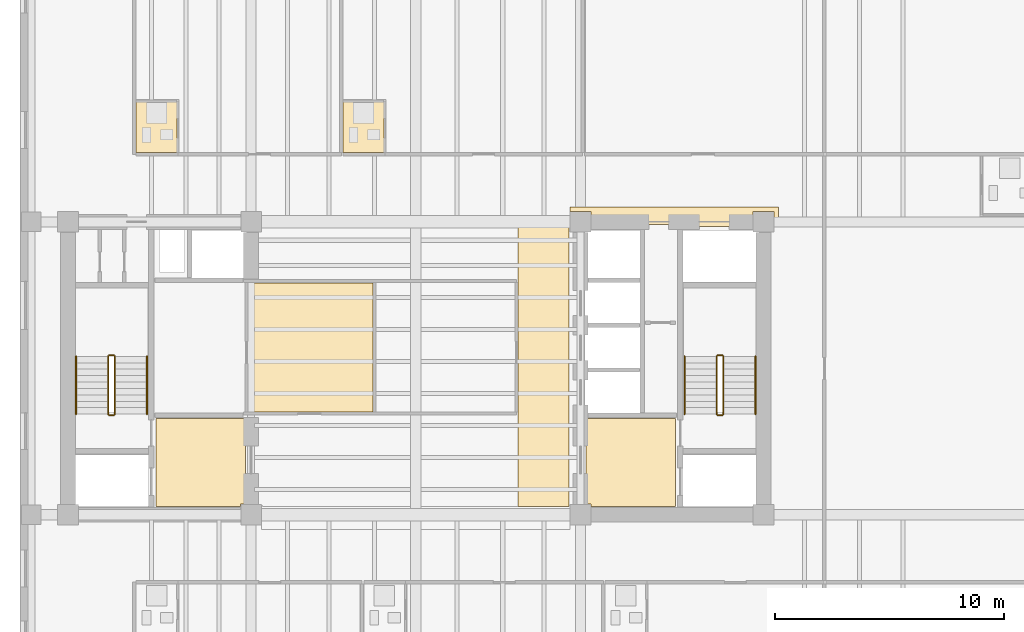
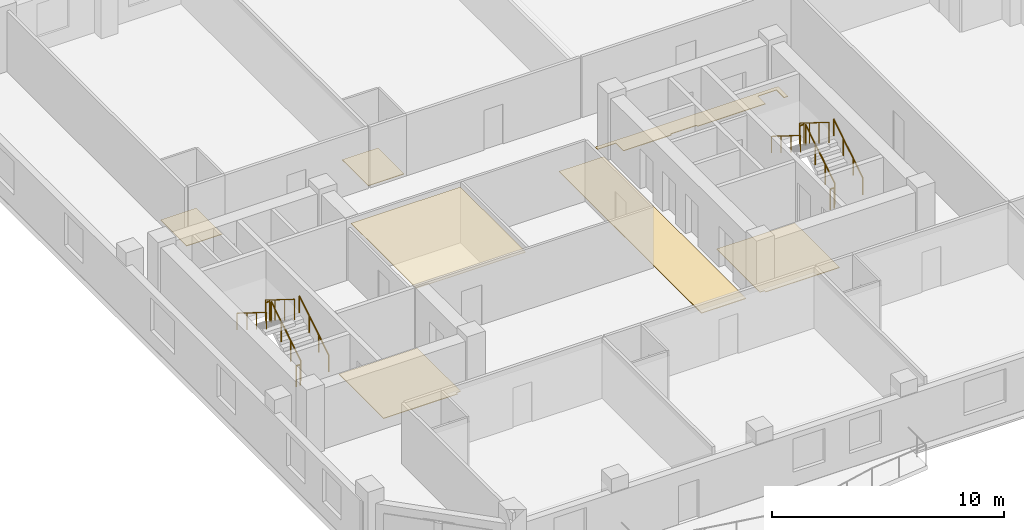
# One storey, part 7 of 9: 12 railings, 7 coverings.
"""IFC4 building model written with IfcOpenShell, lengths in metres."""

from ifc_helpers import new_model, si_unit, direction, frame, origin, origin_2d, place, context, subcontext, project, spatial, polyline, circle, outline, extrude, material, layer, layer_set, type_object, element, save


model = new_model("IFC4")

# Units and contexts
model_context = context("Model", 3, precision=1e-05, world=origin(), true_north=direction((0.0, 1.0)))
body_context = subcontext(model_context, "Body", "Model", "MODEL_VIEW")
ifc_project = project(units=[si_unit("LENGTHUNIT", "METRE"), si_unit("AREAUNIT", "SQUARE_METRE"), si_unit("VOLUMEUNIT", "CUBIC_METRE"), si_unit("PLANEANGLEUNIT", "RADIAN"), si_unit("MASSUNIT", "GRAM", prefix="KILO")], contexts=[model_context])

# Site, building, storey
site_placement = place(None, origin())
site = spatial("IfcSite", under=ifc_project, at=site_placement, CompositionType="ELEMENT")
building_placement = place(site_placement, origin())
building = spatial("IfcBuilding", under=site, at=building_placement, Name="Kranthara Brick Stack", CompositionType="ELEMENT")
storey_placement = place(building_placement, frame((0.0, 0.0, 169.300048828125)))
storey = spatial("IfcBuildingStorey", under=building, at=storey_placement, Name="L43", CompositionType="ELEMENT", Elevation=169.300048828125)

# Coverings
ifc_material_1 = material(Name="Perforated mineral-fibre acoustic ceiling tile", Category="other")
ifc_layer_1 = layer(ifc_material_1, 0.02490234375)
ifc_layer_set_1 = layer_set([ifc_layer_1], Name="Perforated mineral-fibre acoustic ceiling tile")
covering_type_1 = type_object("IfcCoveringType", Name="COV-CEIL-ACOUSTIC", PredefinedType="CEILING", material=ifc_layer_set_1)
covering_1_placement = place(storey_placement, frame((0.0, 0.0, 2.929931640625)))
element("IfcCovering", 1, at=covering_1_placement, inside=storey, type_object=covering_type_1, Name="L43 L43 Hotel Tea Salon Acoustic Ceiling", PredefinedType="CEILING", context=body_context, shape_type="SweptSolid", body=[
    extrude(outline(polyline([(26.1201171875, 25.300048828125), (26.1201171875, 30.93994140625), (20.679931640625, 30.93994140625), (20.679931640625, 25.300048828125), (26.1201171875, 25.300048828125)])), origin(), (0.0, 0.0, 1.0), 0.02490234375),
])
ifc_material_2 = material(Name="Honed terrazzo and porcelain floor finish", Category="stone")
ifc_layer_2 = layer(ifc_material_2, 0.030029296875)
ifc_layer_set_2 = layer_set([ifc_layer_2], Name="Honed terrazzo and porcelain floor finish")
covering_type_2 = type_object("IfcCoveringType", Name="COV-FLOR-STONE", PredefinedType="FLOORING", material=ifc_layer_set_2)
covering_2_placement = place(storey_placement, origin())
element("IfcCovering", 2, at=covering_2_placement, inside=storey, type_object=covering_type_2, Name="L43 Lift Lobby Stone Flooring", PredefinedType="FLOORING", context=body_context, shape_type="SweptSolid", body=[
    extrude(outline(polyline([(16.64990234375, 21.14990234375), (16.64990234375, 25.0), (20.550048828125, 25.0), (20.550048828125, 21.260009765625), (20.340087890625, 21.260009765625), (20.340087890625, 21.14990234375), (16.64990234375, 21.14990234375)])), origin(), (0.0, 0.0, 1.0), 0.030029296875),
])
covering_3_placement = place(storey_placement, origin())
element("IfcCovering", 3, at=covering_3_placement, inside=storey, type_object=covering_type_2, Name="L43 Lift Lobby Stone Flooring", PredefinedType="FLOORING", context=body_context, shape_type="SweptSolid", body=[
    extrude(outline(polyline([(35.449951171875, 25.0), (39.35009765625, 25.0), (39.35009765625, 21.14990234375), (35.659912109375, 21.14990234375), (35.659912109375, 21.260009765625), (35.449951171875, 21.260009765625), (35.449951171875, 25.0)])), origin(), (0.0, 0.0, 1.0), 0.030029296875),
])
covering_4_placement = place(storey_placement, origin())
element("IfcCovering", 4, at=covering_4_placement, inside=storey, type_object=covering_type_2, Name="L43 Lift Lobby Stone Flooring", PredefinedType="FLOORING", context=body_context, shape_type="SweptSolid", body=[
    extrude(outline(polyline([(34.699951171875, 21.14990234375), (34.699951171875, 33.449951171875), (32.47998046875, 33.449951171875), (32.47998046875, 21.14990234375), (34.699951171875, 21.14990234375)])), origin(), (0.0, 0.0, 1.0), 0.030029296875),
])
covering_5_placement = place(storey_placement, origin())
element("IfcCovering", 5, at=covering_5_placement, inside=storey, type_object=covering_type_2, Name="L43 Lift Lobby Stone Flooring", PredefinedType="FLOORING", context=body_context, shape_type="SweptSolid", body=[
    extrude(outline(polyline([(43.659912109375, 33.39990234375), (43.659912109375, 34.06005859375), (42.739990234375, 34.06005859375), (42.739990234375, 33.39990234375), (39.35009765625, 33.39990234375), (39.35009765625, 33.47998046875), (38.050048828125, 33.47998046875), (38.050048828125, 33.39990234375), (35.659912109375, 33.39990234375), (35.659912109375, 34.06005859375), (34.75, 34.06005859375), (34.75, 34.25), (43.85009765625, 34.25), (43.85009765625, 33.39990234375), (43.659912109375, 33.39990234375)])), origin(), (0.0, 0.0, 1.0), 0.030029296875),
])
covering_6_placement = place(storey_placement, origin())
element("IfcCovering", 6, at=covering_6_placement, inside=storey, type_object=covering_type_2, Name="L43 Wet Room Porcelain Flooring", PredefinedType="FLOORING", context=body_context, shape_type="SweptSolid", body=[
    extrude(outline(polyline([(15.780029296875, 36.6298828125), (15.780029296875, 38.8798828125), (17.56005859375, 38.8798828125), (17.56005859375, 36.6298828125), (15.780029296875, 36.6298828125)])), origin(), (0.0, 0.0, 1.0), 0.030029296875),
])
covering_7_placement = place(storey_placement, origin())
element("IfcCovering", 7, at=covering_7_placement, inside=storey, type_object=covering_type_2, Name="L43 Wet Room Porcelain Flooring", PredefinedType="FLOORING", context=body_context, shape_type="SweptSolid", body=[
    extrude(outline(polyline([(24.824951171875, 36.6298828125), (24.824951171875, 38.8798828125), (26.60498046875, 38.8798828125), (26.60498046875, 36.6298828125), (24.824951171875, 36.6298828125)])), origin(), (0.0, 0.0, 1.0), 0.030029296875),
])

# Railings
ifc_material_3 = material(Name="Painted galvanized steel stair guardrail", Category="steel")
railing_type_1 = type_object("IfcRailingType", Name="RL-STAIR-GUARD-1100", PredefinedType="GUARDRAIL", material=ifc_material_3)
railing_1_placement = place(storey_placement, frame((14.85009765625, 25.199951171875, 0.175048828125)))
element("IfcRailing", 8, at=railing_1_placement, inside=storey, type_object=railing_type_1, Name="L43 ST01 stair guard 1", PredefinedType="GUARDRAIL", context=body_context, shape_type="SweptSolid", body=[
    extrude(circle(Radius=0.02392578125, at=origin_2d()), frame((0.0, 0.0, 1.076171875), z_axis=(0.0, 0.848007534815, 0.529984170421), x_axis=(-1.0, 0.0, 0.0)), (0.0, 0.0, 1.0), 2.9716796875),
    extrude(circle(Radius=0.02099609375, at=origin_2d()), origin(), (0.0, 0.0, 1.0), 1.052001953125),
    extrude(circle(Radius=0.02099609375, at=origin_2d()), frame((0.0, 0.840087890625, 0.52490234375)), (0.0, 0.0, 1.0), 1.052001953125),
    extrude(circle(Radius=0.02099609375, at=origin_2d()), frame((0.0, 1.679931640625, 1.050048828125)), (0.0, 0.0, 1.0), 1.052001953125),
    extrude(circle(Radius=0.02099609375, at=origin_2d()), frame((0.0, 2.52001953125, 1.574951171875)), (0.0, 0.0, 1.0), 1.052001953125),
])
railing_2_placement = place(storey_placement, frame((14.800048828125, 27.77001953125, 1.75)))
element("IfcRailing", 9, at=railing_2_placement, inside=storey, type_object=railing_type_1, Name="L43 ST01 stair guard 2", PredefinedType="GUARDRAIL", context=body_context, shape_type="SweptSolid", body=[
    extrude(circle(Radius=0.02392578125, at=origin_2d()), frame((0.0, 0.0, 1.076171875), z_axis=(-1.0, 0.0, 0.0), x_axis=(0.0, -1.0, 0.0)), (0.0, 0.0, 1.0), 0.199951171875),
    extrude(circle(Radius=0.02099609375, at=origin_2d()), origin(), (0.0, 0.0, 1.0), 1.052001953125),
    extrude(circle(Radius=0.02099609375, at=origin_2d()), frame((-0.199951171875, 0.0, 0.0)), (0.0, 0.0, 1.0), 1.052001953125),
])
railing_3_placement = place(storey_placement, frame((14.550048828125, 27.719970703125, 1.925048828125)))
element("IfcRailing", 10, at=railing_3_placement, inside=storey, type_object=railing_type_1, Name="L43 ST01 stair guard 3", PredefinedType="GUARDRAIL", context=body_context, shape_type="SweptSolid", body=[
    extrude(circle(Radius=0.02392578125, at=origin_2d()), frame((0.0, 0.0, 1.076171875), z_axis=(0.0, -0.848007534815, 0.529984170421), x_axis=(1.0, 0.0, 0.0)), (0.0, 0.0, 1.0), 2.9716796875),
    extrude(circle(Radius=0.02099609375, at=origin_2d()), origin(), (0.0, 0.0, 1.0), 1.052001953125),
    extrude(circle(Radius=0.02099609375, at=origin_2d()), frame((0.0, -0.840087890625, 0.52490234375)), (0.0, 0.0, 1.0), 1.052001953125),
    extrude(circle(Radius=0.02099609375, at=origin_2d()), frame((0.0, -1.679931640625, 1.050048828125)), (0.0, 0.0, 1.0), 1.052001953125),
    extrude(circle(Radius=0.02099609375, at=origin_2d()), frame((0.0, -2.52001953125, 1.574951171875)), (0.0, 0.0, 1.0), 1.052001953125),
])
railing_4_placement = place(storey_placement, frame((14.800048828125, 25.14990234375, 0.0)))
element("IfcRailing", 11, at=railing_4_placement, inside=storey, type_object=railing_type_1, Name="L43 ST01 stair guard 4", PredefinedType="GUARDRAIL", context=body_context, shape_type="SweptSolid", body=[
    extrude(circle(Radius=0.02392578125, at=origin_2d()), frame((0.0, 0.0, 1.076171875), z_axis=(-1.0, 0.0, 0.0), x_axis=(0.0, -1.0, 0.0)), (0.0, 0.0, 1.0), 0.199951171875),
    extrude(circle(Radius=0.02099609375, at=origin_2d()), origin(), (0.0, 0.0, 1.0), 1.052001953125),
    extrude(circle(Radius=0.02099609375, at=origin_2d()), frame((-0.199951171875, 0.0, 0.0)), (0.0, 0.0, 1.0), 1.052001953125),
])
railing_5_placement = place(storey_placement, frame((41.449951171875, 25.199951171875, 0.175048828125)))
element("IfcRailing", 12, at=railing_5_placement, inside=storey, type_object=railing_type_1, Name="L43 ST02 stair guard 1", PredefinedType="GUARDRAIL", context=body_context, shape_type="SweptSolid", body=[
    extrude(circle(Radius=0.02392578125, at=origin_2d()), frame((0.0, 0.0, 1.076171875), z_axis=(0.0, 0.848007534815, 0.529984170421), x_axis=(-1.0, 0.0, 0.0)), (0.0, 0.0, 1.0), 2.9716796875),
    extrude(circle(Radius=0.02099609375, at=origin_2d()), origin(), (0.0, 0.0, 1.0), 1.052001953125),
    extrude(circle(Radius=0.02099609375, at=origin_2d()), frame((0.0, 0.840087890625, 0.52490234375)), (0.0, 0.0, 1.0), 1.052001953125),
    extrude(circle(Radius=0.02099609375, at=origin_2d()), frame((0.0, 1.679931640625, 1.050048828125)), (0.0, 0.0, 1.0), 1.052001953125),
    extrude(circle(Radius=0.02099609375, at=origin_2d()), frame((0.0, 2.52001953125, 1.574951171875)), (0.0, 0.0, 1.0), 1.052001953125),
])
railing_6_placement = place(storey_placement, frame((41.39990234375, 27.77001953125, 1.75)))
element("IfcRailing", 13, at=railing_6_placement, inside=storey, type_object=railing_type_1, Name="L43 ST02 stair guard 2", PredefinedType="GUARDRAIL", context=body_context, shape_type="SweptSolid", body=[
    extrude(circle(Radius=0.02392578125, at=origin_2d()), frame((0.0, 0.0, 1.076171875), z_axis=(-1.0, 0.0, 0.0), x_axis=(0.0, -1.0, 0.0)), (0.0, 0.0, 1.0), 0.199951171875),
    extrude(circle(Radius=0.02099609375, at=origin_2d()), origin(), (0.0, 0.0, 1.0), 1.052001953125),
    extrude(circle(Radius=0.02099609375, at=origin_2d()), frame((-0.199951171875, 0.0, 0.0)), (0.0, 0.0, 1.0), 1.052001953125),
])
railing_7_placement = place(storey_placement, frame((41.14990234375, 27.719970703125, 1.925048828125)))
element("IfcRailing", 14, at=railing_7_placement, inside=storey, type_object=railing_type_1, Name="L43 ST02 stair guard 3", PredefinedType="GUARDRAIL", context=body_context, shape_type="SweptSolid", body=[
    extrude(circle(Radius=0.02392578125, at=origin_2d()), frame((0.0, 0.0, 1.076171875), z_axis=(0.0, -0.848007534815, 0.529984170421), x_axis=(1.0, 0.0, 0.0)), (0.0, 0.0, 1.0), 2.9716796875),
    extrude(circle(Radius=0.02099609375, at=origin_2d()), origin(), (0.0, 0.0, 1.0), 1.052001953125),
    extrude(circle(Radius=0.02099609375, at=origin_2d()), frame((0.0, -0.840087890625, 0.52490234375)), (0.0, 0.0, 1.0), 1.052001953125),
    extrude(circle(Radius=0.02099609375, at=origin_2d()), frame((0.0, -1.679931640625, 1.050048828125)), (0.0, 0.0, 1.0), 1.052001953125),
    extrude(circle(Radius=0.02099609375, at=origin_2d()), frame((0.0, -2.52001953125, 1.574951171875)), (0.0, 0.0, 1.0), 1.052001953125),
])
railing_8_placement = place(storey_placement, frame((41.39990234375, 25.14990234375, 0.0)))
element("IfcRailing", 15, at=railing_8_placement, inside=storey, type_object=railing_type_1, Name="L43 ST02 stair guard 4", PredefinedType="GUARDRAIL", context=body_context, shape_type="SweptSolid", body=[
    extrude(circle(Radius=0.02392578125, at=origin_2d()), frame((0.0, 0.0, 1.076171875), z_axis=(-1.0, 0.0, 0.0), x_axis=(0.0, -1.0, 0.0)), (0.0, 0.0, 1.0), 0.199951171875),
    extrude(circle(Radius=0.02099609375, at=origin_2d()), origin(), (0.0, 0.0, 1.0), 1.052001953125),
    extrude(circle(Radius=0.02099609375, at=origin_2d()), frame((-0.199951171875, 0.0, 0.0)), (0.0, 0.0, 1.0), 1.052001953125),
])
ifc_material_4 = material(Name="Brushed stainless steel tubular handrail", Category="steel")
railing_type_2 = type_object("IfcRailingType", Name="RL-STAIR-HAND-900", PredefinedType="HANDRAIL", material=ifc_material_4)
railing_9_placement = place(storey_placement, frame((16.25, 25.199951171875, 0.175048828125)))
element("IfcRailing", 16, at=railing_9_placement, inside=storey, type_object=railing_type_2, Name="L43 ST01 stair handrail 1", PredefinedType="HANDRAIL", context=body_context, shape_type="SweptSolid", body=[
    extrude(circle(Radius=0.02392578125, at=origin_2d()), frame((0.0, 0.0, 0.8759765625), z_axis=(0.0, 0.848007534815, 0.529984170421), x_axis=(-1.0, 0.0, 0.0)), (0.0, 0.0, 1.0), 2.9716796875),
    extrude(circle(Radius=0.02099609375, at=origin_2d()), origin(), (0.0, 0.0, 1.0), 0.851806640625),
    extrude(circle(Radius=0.02099609375, at=origin_2d()), frame((0.0, 0.840087890625, 0.52490234375)), (0.0, 0.0, 1.0), 0.851806640625),
    extrude(circle(Radius=0.02099609375, at=origin_2d()), frame((0.0, 1.679931640625, 1.050048828125)), (0.0, 0.0, 1.0), 0.851806640625),
    extrude(circle(Radius=0.02099609375, at=origin_2d()), frame((0.0, 2.52001953125, 1.574951171875)), (0.0, 0.0, 1.0), 0.851806640625),
])
railing_10_placement = place(storey_placement, frame((13.14990234375, 27.719970703125, 1.925048828125)))
element("IfcRailing", 17, at=railing_10_placement, inside=storey, type_object=railing_type_2, Name="L43 ST01 stair handrail 2", PredefinedType="HANDRAIL", context=body_context, shape_type="SweptSolid", body=[
    extrude(circle(Radius=0.02392578125, at=origin_2d()), frame((0.0, 0.0, 0.8759765625), z_axis=(0.0, -0.848007534815, 0.529984170421), x_axis=(1.0, 0.0, 0.0)), (0.0, 0.0, 1.0), 2.9716796875),
    extrude(circle(Radius=0.02099609375, at=origin_2d()), origin(), (0.0, 0.0, 1.0), 0.851806640625),
    extrude(circle(Radius=0.02099609375, at=origin_2d()), frame((0.0, -0.840087890625, 0.52490234375)), (0.0, 0.0, 1.0), 0.851806640625),
    extrude(circle(Radius=0.02099609375, at=origin_2d()), frame((0.0, -1.679931640625, 1.050048828125)), (0.0, 0.0, 1.0), 0.851806640625),
    extrude(circle(Radius=0.02099609375, at=origin_2d()), frame((0.0, -2.52001953125, 1.574951171875)), (0.0, 0.0, 1.0), 0.851806640625),
])
railing_11_placement = place(storey_placement, frame((42.85009765625, 25.199951171875, 0.175048828125)))
element("IfcRailing", 18, at=railing_11_placement, inside=storey, type_object=railing_type_2, Name="L43 ST02 stair handrail 1", PredefinedType="HANDRAIL", context=body_context, shape_type="SweptSolid", body=[
    extrude(circle(Radius=0.02392578125, at=origin_2d()), frame((0.0, 0.0, 0.8759765625), z_axis=(0.0, 0.848007534815, 0.529984170421), x_axis=(-1.0, 0.0, 0.0)), (0.0, 0.0, 1.0), 2.9716796875),
    extrude(circle(Radius=0.02099609375, at=origin_2d()), origin(), (0.0, 0.0, 1.0), 0.851806640625),
    extrude(circle(Radius=0.02099609375, at=origin_2d()), frame((0.0, 0.840087890625, 0.52490234375)), (0.0, 0.0, 1.0), 0.851806640625),
    extrude(circle(Radius=0.02099609375, at=origin_2d()), frame((0.0, 1.679931640625, 1.050048828125)), (0.0, 0.0, 1.0), 0.851806640625),
    extrude(circle(Radius=0.02099609375, at=origin_2d()), frame((0.0, 2.52001953125, 1.574951171875)), (0.0, 0.0, 1.0), 0.851806640625),
])
railing_12_placement = place(storey_placement, frame((39.75, 27.719970703125, 1.925048828125)))
element("IfcRailing", 19, at=railing_12_placement, inside=storey, type_object=railing_type_2, Name="L43 ST02 stair handrail 2", PredefinedType="HANDRAIL", context=body_context, shape_type="SweptSolid", body=[
    extrude(circle(Radius=0.02392578125, at=origin_2d()), frame((0.0, 0.0, 0.8759765625), z_axis=(0.0, -0.848007534815, 0.529984170421), x_axis=(1.0, 0.0, 0.0)), (0.0, 0.0, 1.0), 2.9716796875),
    extrude(circle(Radius=0.02099609375, at=origin_2d()), origin(), (0.0, 0.0, 1.0), 0.851806640625),
    extrude(circle(Radius=0.02099609375, at=origin_2d()), frame((0.0, -0.840087890625, 0.52490234375)), (0.0, 0.0, 1.0), 0.851806640625),
    extrude(circle(Radius=0.02099609375, at=origin_2d()), frame((0.0, -1.679931640625, 1.050048828125)), (0.0, 0.0, 1.0), 0.851806640625),
    extrude(circle(Radius=0.02099609375, at=origin_2d()), frame((0.0, -2.52001953125, 1.574951171875)), (0.0, 0.0, 1.0), 0.851806640625),
])

save(model, "model.ifc")
